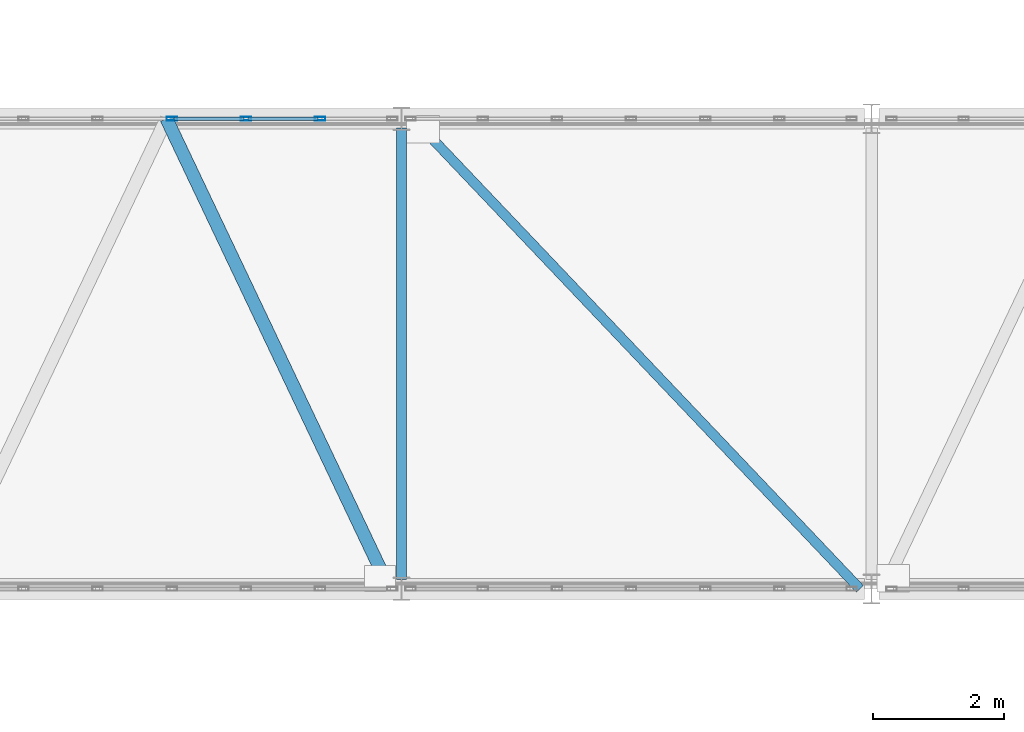
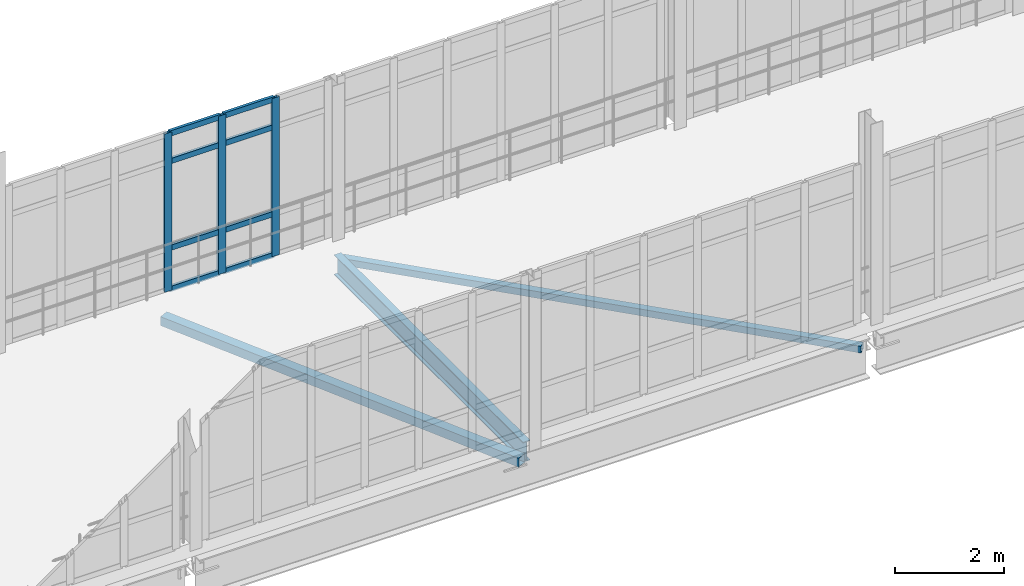
# One storey, part 23 of 124: 13 members, 1 beam, 1 element without a shape of its own.
"""IFC4 building model written with IfcOpenShell, lengths in metres."""

from ifc_helpers import new_model, si_unit, direction, frame, origin, origin_2d, place, context, subcontext, project, spatial, hollow_rectangle, i_section, extrude, material, material_profile, profile_set, type_object, element, aggregate, save


model = new_model("IFC4")

# Units and contexts
model_context = context("Model", 3, precision=1e-05, world=origin(), true_north=direction((0.0, 1.0)))
body_context = subcontext(model_context, "Body", "Model", "MODEL_VIEW")
ifc_project = project(units=[si_unit("LENGTHUNIT", "METRE"), si_unit("AREAUNIT", "SQUARE_METRE"), si_unit("VOLUMEUNIT", "CUBIC_METRE"), si_unit("PLANEANGLEUNIT", "RADIAN"), si_unit("MASSUNIT", "GRAM", prefix="KILO")], contexts=[model_context])

# Site, building, storey
site_placement = place(None, origin())
site = spatial("IfcSite", under=ifc_project, at=site_placement, CompositionType="ELEMENT")
building_placement = place(site_placement, origin())
building = spatial("IfcBuilding", under=site, at=building_placement, Name="Kalluvel Institute of Natural Sciences", CompositionType="ELEMENT")
storey_placement = place(building_placement, frame((0.0, 0.0, 9.89990234375)))
storey = spatial("IfcBuildingStorey", under=building, at=storey_placement, Name="L02", CompositionType="ELEMENT", Elevation=9.89990234375)

# Beam
ifc_material_1 = material(Name="Steel E350 Grade 350", Category="steel")
ifc_material_profile_1 = material_profile(ifc_material_1, i_section(OverallWidth=0.14990234375, OverallDepth=0.449951171875, WebThickness=0.009521484375, FlangeThickness=0.017333984375, FilletRadius=0.014892578125, at=origin_2d()), Name="ISMB 450")
ifc_profile_set_1 = profile_set([ifc_material_profile_1], Name="Steel E350 Grade 350")
beam_type = type_object("IfcBeamType", Name="BM-ISMB450", PredefinedType="BEAM", material=ifc_profile_set_1)
beam_placement = place(storey_placement, frame((57.199951171875, 28.5400390625, -0.544921875), z_axis=(0.0, 1.0, 0.0), x_axis=(-1.0, 0.0, 0.0)))
element("IfcBeam", 1, at=beam_placement, inside=storey, type_object=beam_type, Name="L02 link bridge cross girder 57", PredefinedType="BEAM", context=body_context, shape_type="SweptSolid", body=[
    extrude(i_section(OverallWidth=0.14990234375, OverallDepth=0.449951171875, WebThickness=0.009521484375, FlangeThickness=0.017333984375, FilletRadius=0.014892578125, at=origin_2d()), origin(), (0.0, 0.0, 1.0), 6.919921875),
])

# Curtain wall, members
ifc_material_2 = material(Name="Aluminium AW-6063 T6", Category="aluminium")
curtain_wall_type = type_object("IfcCurtainWallType", Name="CW-BRG-45", PredefinedType="USERDEFINED", material=ifc_material_2)
curtain_wall_placement = place(storey_placement, origin())
curtain_wall = element("IfcCurtainWall", 2, at=curtain_wall_placement, inside=storey, type_object=curtain_wall_type, Name="L02 Gothic lancet curtain wall CWA-L02-X503-Y356", ObjectType="UNITISED LANCET FACADE", PredefinedType="USERDEFINED")
ifc_material_profile_2 = material_profile(ifc_material_2, hollow_rectangle(XDim=0.06005859375, YDim=0.159912109375, WallThickness=0.00390625, at=origin_2d()), Name="CWM 60x160")
ifc_profile_set_2 = profile_set([ifc_material_profile_2], Name="Aluminium AW-6063 T6")
member_type_1 = type_object("IfcMemberType", Name="CWM-60x160", PredefinedType="MULLION", material=ifc_profile_set_2)
member_1_placement = place(storey_placement, frame((53.6826171875, 35.60009765625, 0.0), z_axis=(0.0, 0.0, 1.0), x_axis=(0.0, 1.0, 0.0)))
member_1 = element("IfcMember", 3, at=member_1_placement, type_object=member_type_1, Name="CW-07 mullion 4", PredefinedType="MULLION", context=body_context, shape_type="SweptSolid", body=[
    extrude(hollow_rectangle(XDim=0.06005859375, YDim=0.159912109375, WallThickness=0.00390625, at=origin_2d()), origin(), (0.0, 0.0, 1.0), 3.5400390625),
])
member_2_placement = place(storey_placement, frame((54.818359375, 35.60009765625, 0.0), z_axis=(0.0, 0.0, 1.0), x_axis=(0.0, 1.0, 0.0)))
member_2 = element("IfcMember", 4, at=member_2_placement, type_object=member_type_1, Name="CW-07 mullion 5", PredefinedType="MULLION", context=body_context, shape_type="SweptSolid", body=[
    extrude(hollow_rectangle(XDim=0.06005859375, YDim=0.159912109375, WallThickness=0.00390625, at=origin_2d()), origin(), (0.0, 0.0, 1.0), 3.5400390625),
])
member_3_placement = place(storey_placement, frame((55.9541015625, 35.60009765625, 0.0), z_axis=(0.0, 0.0, 1.0), x_axis=(0.0, 1.0, 0.0)))
member_3 = element("IfcMember", 5, at=member_3_placement, type_object=member_type_1, Name="CW-07 mullion 6", PredefinedType="MULLION", context=body_context, shape_type="SweptSolid", body=[
    extrude(hollow_rectangle(XDim=0.06005859375, YDim=0.159912109375, WallThickness=0.00390625, at=origin_2d()), origin(), (0.0, 0.0, 1.0), 3.5400390625),
])
ifc_material_profile_3 = material_profile(ifc_material_2, hollow_rectangle(XDim=0.06005859375, YDim=0.1201171875, WallThickness=0.00390625, at=origin_2d()), Name="CWT 60x120")
ifc_profile_set_3 = profile_set([ifc_material_profile_3], Name="Aluminium AW-6063 T6")
member_type_2 = type_object("IfcMemberType", Name="CWT-60x120", PredefinedType="USERDEFINED", material=ifc_profile_set_3)
member_4_placement = place(storey_placement, frame((53.71240234375, 35.60009765625, 0.030029296875), z_axis=(1.0, 0.0, 0.0), x_axis=(0.0, 1.0, 0.0)))
member_4 = element("IfcMember", 6, at=member_4_placement, type_object=member_type_2, Name="CW-07 transom 4.1", ObjectType="TRANSOM", PredefinedType="USERDEFINED", context=body_context, shape_type="SweptSolid", body=[
    extrude(hollow_rectangle(XDim=0.06005859375, YDim=0.1201171875, WallThickness=0.00390625, at=origin_2d()), origin(), (0.0, 0.0, 1.0), 1.075927734375),
])
member_5_placement = place(storey_placement, frame((53.71240234375, 35.60009765625, 0.9501953125), z_axis=(1.0, 0.0, 0.0), x_axis=(0.0, 1.0, 0.0)))
member_5 = element("IfcMember", 7, at=member_5_placement, type_object=member_type_2, Name="CW-07 transom 4.2", ObjectType="TRANSOM", PredefinedType="USERDEFINED", context=body_context, shape_type="SweptSolid", body=[
    extrude(hollow_rectangle(XDim=0.06005859375, YDim=0.1201171875, WallThickness=0.00390625, at=origin_2d()), origin(), (0.0, 0.0, 1.0), 1.075927734375),
])
member_6_placement = place(storey_placement, frame((53.71240234375, 35.60009765625, 2.89013671875), z_axis=(1.0, 0.0, 0.0), x_axis=(0.0, 1.0, 0.0)))
member_6 = element("IfcMember", 8, at=member_6_placement, type_object=member_type_2, Name="CW-07 transom 4.3", ObjectType="TRANSOM", PredefinedType="USERDEFINED", context=body_context, shape_type="SweptSolid", body=[
    extrude(hollow_rectangle(XDim=0.06005859375, YDim=0.1201171875, WallThickness=0.00390625, at=origin_2d()), origin(), (0.0, 0.0, 1.0), 1.075927734375),
])
member_7_placement = place(storey_placement, frame((53.71240234375, 35.60009765625, 3.510009765625), z_axis=(1.0, 0.0, 0.0), x_axis=(0.0, 1.0, 0.0)))
member_7 = element("IfcMember", 9, at=member_7_placement, type_object=member_type_2, Name="CW-07 transom 4.4", ObjectType="TRANSOM", PredefinedType="USERDEFINED", context=body_context, shape_type="SweptSolid", body=[
    extrude(hollow_rectangle(XDim=0.06005859375, YDim=0.1201171875, WallThickness=0.00390625, at=origin_2d()), origin(), (0.0, 0.0, 1.0), 1.075927734375),
])
member_8_placement = place(storey_placement, frame((54.848388671875, 35.60009765625, 0.030029296875), z_axis=(1.0, 0.0, 0.0), x_axis=(0.0, 1.0, 0.0)))
member_8 = element("IfcMember", 10, at=member_8_placement, type_object=member_type_2, Name="CW-07 transom 5.1", ObjectType="TRANSOM", PredefinedType="USERDEFINED", context=body_context, shape_type="SweptSolid", body=[
    extrude(hollow_rectangle(XDim=0.06005859375, YDim=0.1201171875, WallThickness=0.00390625, at=origin_2d()), origin(), (0.0, 0.0, 1.0), 1.07568359375),
])
member_9_placement = place(storey_placement, frame((54.848388671875, 35.60009765625, 0.9501953125), z_axis=(1.0, 0.0, 0.0), x_axis=(0.0, 1.0, 0.0)))
member_9 = element("IfcMember", 11, at=member_9_placement, type_object=member_type_2, Name="CW-07 transom 5.2", ObjectType="TRANSOM", PredefinedType="USERDEFINED", context=body_context, shape_type="SweptSolid", body=[
    extrude(hollow_rectangle(XDim=0.06005859375, YDim=0.1201171875, WallThickness=0.00390625, at=origin_2d()), origin(), (0.0, 0.0, 1.0), 1.07568359375),
])
member_10_placement = place(storey_placement, frame((54.848388671875, 35.60009765625, 2.89013671875), z_axis=(1.0, 0.0, 0.0), x_axis=(0.0, 1.0, 0.0)))
member_10 = element("IfcMember", 12, at=member_10_placement, type_object=member_type_2, Name="CW-07 transom 5.3", ObjectType="TRANSOM", PredefinedType="USERDEFINED", context=body_context, shape_type="SweptSolid", body=[
    extrude(hollow_rectangle(XDim=0.06005859375, YDim=0.1201171875, WallThickness=0.00390625, at=origin_2d()), origin(), (0.0, 0.0, 1.0), 1.07568359375),
])
member_11_placement = place(storey_placement, frame((54.848388671875, 35.60009765625, 3.510009765625), z_axis=(1.0, 0.0, 0.0), x_axis=(0.0, 1.0, 0.0)))
member_11 = element("IfcMember", 13, at=member_11_placement, type_object=member_type_2, Name="CW-07 transom 5.4", ObjectType="TRANSOM", PredefinedType="USERDEFINED", context=body_context, shape_type="SweptSolid", body=[
    extrude(hollow_rectangle(XDim=0.06005859375, YDim=0.1201171875, WallThickness=0.00390625, at=origin_2d()), origin(), (0.0, 0.0, 1.0), 1.07568359375),
])
aggregate(curtain_wall, [member_1, member_2, member_3, member_4, member_5, member_6, member_7, member_8, member_9, member_10, member_11])

# Members
ifc_material_profile_4 = material_profile(ifc_material_1, hollow_rectangle(XDim=0.14990234375, YDim=0.14990234375, WallThickness=0.008056640625, at=origin_2d()), Name="SHS 150x150x8")
ifc_profile_set_4 = profile_set([ifc_material_profile_4], Name="Steel E350 Grade 350")
member_type_3 = type_object("IfcMemberType", Name="MB-BR-SHS150", PredefinedType="BRACE", material=ifc_profile_set_4)
member_12_placement = place(storey_placement, frame((57.3798828125, 35.60009765625, -0.599853515625), z_axis=(0.688744293312, -0.725004343732, 0.0), x_axis=(0.725004343732, 0.688744293312, 0.0)))
element("IfcMember", 14, at=member_12_placement, inside=storey, type_object=member_type_3, Name="L02 link bridge horizontal plan brace L02-04-1", PredefinedType="BRACE", context=body_context, shape_type="SweptSolid", body=[
    extrude(hollow_rectangle(XDim=0.14990234375, YDim=0.14990234375, WallThickness=0.008056640625, at=origin_2d()), origin(), (0.0, 0.0, 1.0), 9.93115234375),
])
ifc_material_profile_5 = material_profile(ifc_material_1, hollow_rectangle(XDim=0.199951171875, YDim=0.199951171875, WallThickness=0.010009765625, at=origin_2d()), Name="SHS 200x200x10")
ifc_profile_set_5 = profile_set([ifc_material_profile_5], Name="Steel E350 Grade 350")
member_type_4 = type_object("IfcMemberType", Name="MB-BR-SHS200", PredefinedType="BRACE", material=ifc_profile_set_5)
member_13_placement = place(storey_placement, frame((53.60009765625, 35.60009765625, -0.599853515625), z_axis=(0.429039321605, -0.903285813304, 0.0), x_axis=(0.903285813304, 0.429039321605, 0.0)))
element("IfcMember", 15, at=member_13_placement, inside=storey, type_object=member_type_4, Name="L02 link bridge horizontal plan brace L02-03-2", PredefinedType="BRACE", context=body_context, shape_type="SweptSolid", body=[
    extrude(hollow_rectangle(XDim=0.199951171875, YDim=0.199951171875, WallThickness=0.010009765625, at=origin_2d()), origin(), (0.0, 0.0, 1.0), 7.97119140625),
])

save(model, "model.ifc")
